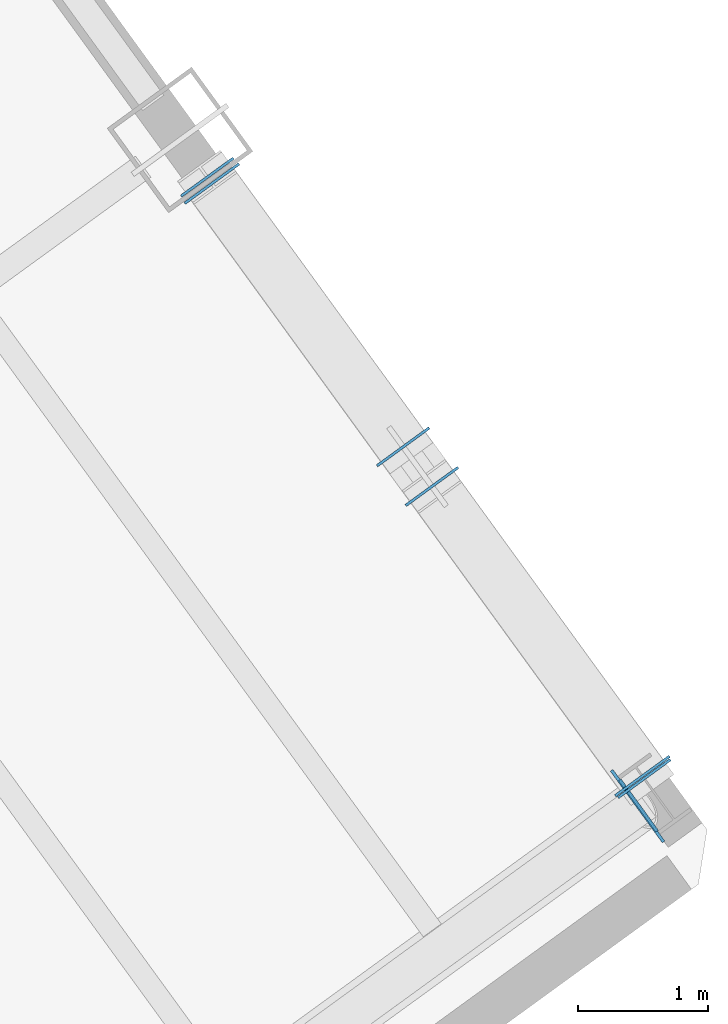
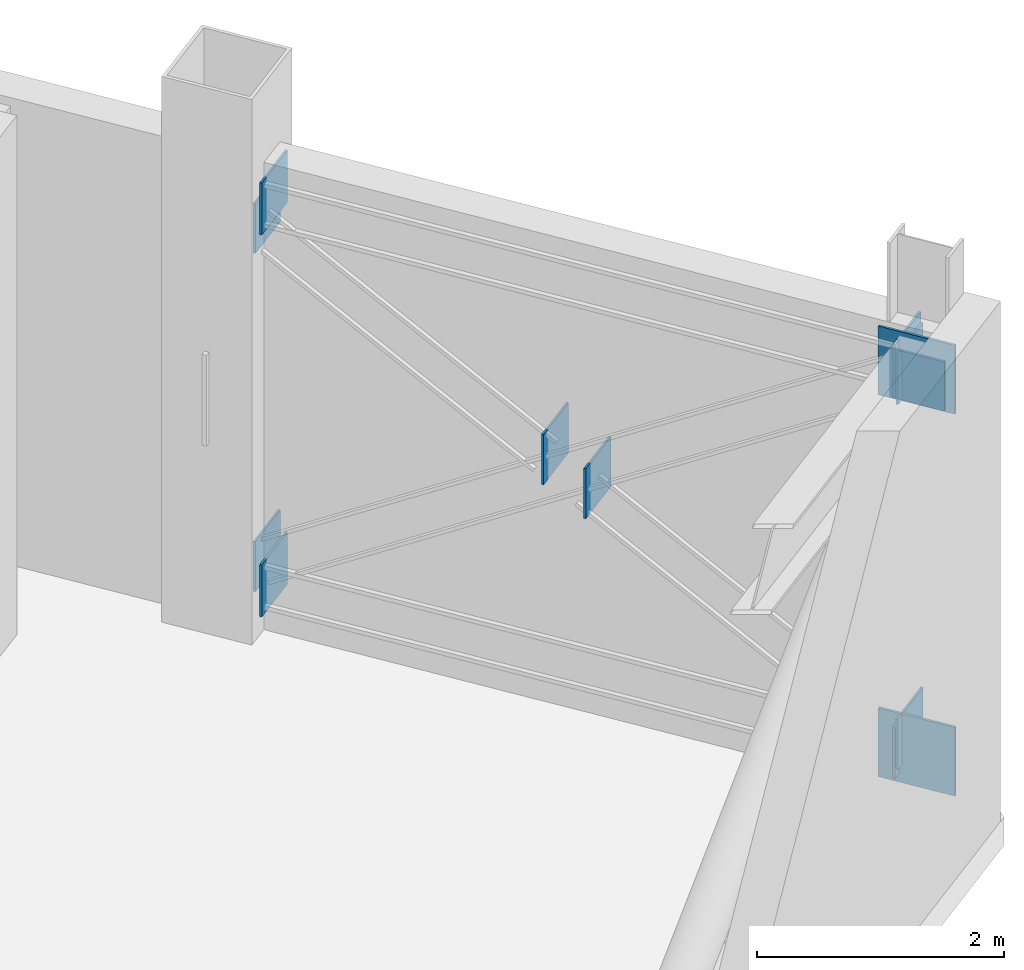
# One storey, part 20 of 30: 13 plates.
"""IFC4 building model written with IfcOpenShell, lengths in metres."""

from ifc_helpers import new_model, si_unit, direction, frame, origin, origin_2d, place, context, subcontext, project, spatial, rectangle, extrude, source, transform, mapped, material, layer, layer_set, type_object, element, save


model = new_model("IFC4")

# Units and contexts
model_context = context("Model", 3, precision=1e-05, world=origin(), true_north=direction((0.0, 1.0)))
body_context = subcontext(model_context, "Body", "Model", "MODEL_VIEW")
ifc_project = project(units=[si_unit("LENGTHUNIT", "METRE"), si_unit("AREAUNIT", "SQUARE_METRE"), si_unit("VOLUMEUNIT", "CUBIC_METRE"), si_unit("PLANEANGLEUNIT", "RADIAN"), si_unit("MASSUNIT", "GRAM", prefix="KILO")], contexts=[model_context])

# Site, building, storey
site_placement = place(None, origin())
site = spatial("IfcSite", under=ifc_project, at=site_placement, CompositionType="ELEMENT")
building_placement = place(site_placement, origin())
building = spatial("IfcBuilding", under=site, at=building_placement, Name="Tlacorven Tower", CompositionType="ELEMENT")
storey_placement = place(building_placement, frame((0.0, 0.0, 169.5)))
storey = spatial("IfcBuildingStorey", under=building, at=storey_placement, Name="L43", CompositionType="ELEMENT", Elevation=169.5)

# Plates
ifc_material = material(Name="Steel S460M", Category="steel")
ifc_layer_1 = layer(ifc_material, 0.02001953125)
ifc_layer_set_1 = layer_set([ifc_layer_1], Name="Steel S460M")
plate_type_1 = type_object("IfcPlateType", Name="PL-CAP-END2", PredefinedType="USERDEFINED", material=ifc_layer_set_1)
shared_shape_1 = source(origin(), body_context, "Body", "SweptSolid", [
    extrude(rectangle(XDim=0.02001953125, YDim=0.514892578125, at=origin_2d()), origin(), (0.0, 0.0, 1.0), 0.514892578125),
])
for number, where, z_axis, x_axis, name in (
    (1, (67.51171875, 23.017822265625, 0.1923828125), (0.0, 0.0, 1.0), (0.587785281577, -0.809016973098, 0.0), "L43 hollow end cap plate OUT-L43-E2-B 1"),
    (2, (70.81494140625, 18.47119140625, 0.1923828125), (0.0, 0.0, 1.0), (0.587785281577, -0.809016973098, 0.0), "L43 hollow end cap plate OUT-L43-E2-B 2"),
    (3, (67.51171875, 23.017822265625, 3.97265625), (0.0, 0.0, 1.0), (0.587785281577, -0.809016973098, 0.0), "L43 hollow end cap plate OUT-L43-E2-T 1"),
    (4, (70.81494140625, 18.47119140625, 3.97265625), (0.0, 0.0, 1.0), (0.587785281577, -0.809016973098, 0.0), "L43 hollow end cap plate OUT-L43-E2-T 2"),
):
    element("IfcPlate", number, at=place(storey_placement, frame(where, z_axis=z_axis, x_axis=x_axis)), inside=storey, type_object=plate_type_1, Name=name, ObjectType="END PLATE", PredefinedType="USERDEFINED", context=body_context, shape_type="MappedRepresentation", body=[
        mapped(shared_shape_1, transform((0.0, 0.0, 0.0), scale=1.0)),
    ])
shared_shape_2 = source(origin(), body_context, "Body", "SweptSolid", [
    extrude(rectangle(XDim=0.02001953125, YDim=0.49609375, at=origin_2d()), origin(), (0.0, 0.0, 1.0), 0.49609375),
])
for number, where, z_axis, x_axis, name in (
    (5, (67.47607421875, 23.06689453125, 0.41796875), (0.0, 0.0, 1.0), (0.587785217811, -0.809017019427, 0.0), "L43 hollow end cap plate OUT-L43-E2-D1 1"),
    (6, (70.8291015625, 18.45166015625, 3.89599609375), (0.0, 0.0, 1.0), (0.587785217811, -0.809017019427, 0.0), "L43 hollow end cap plate OUT-L43-E2-D1 2"),
    (7, (67.47607421875, 23.06689453125, 3.765869140625), (0.0, 0.0, 1.0), (0.587785372313, -0.809016907175, 0.0), "L43 hollow end cap plate OUT-L43-E2-D2A 1"),
    (8, (68.9794921875, 20.99755859375, 2.20654296875), (0.0, 0.0, 1.0), (0.587785372313, -0.809016907175, 0.0), "L43 hollow end cap plate OUT-L43-E2-D2A 2"),
    (9, (69.2001953125, 20.693603515625, 1.9775390625), (0.0, 0.0, 1.0), (0.587784828862, -0.809017302015, 0.0), "L43 hollow end cap plate OUT-L43-E2-D2B 1"),
    (10, (70.8291015625, 18.45166015625, 0.287841796875), (0.0, 0.0, 1.0), (0.587784828862, -0.809017302015, 0.0), "L43 hollow end cap plate OUT-L43-E2-D2B 2"),
):
    element("IfcPlate", number, at=place(storey_placement, frame(where, z_axis=z_axis, x_axis=x_axis)), inside=storey, type_object=plate_type_1, Name=name, ObjectType="END PLATE", PredefinedType="USERDEFINED", context=body_context, shape_type="MappedRepresentation", body=[
        mapped(shared_shape_2, transform((0.0, 0.0, 0.0), scale=1.0)),
    ])
ifc_layer_2 = layer(ifc_material, 0.02392578125)
ifc_layer_set_2 = layer_set([ifc_layer_2], Name="Steel S460M")
plate_type_2 = type_object("IfcPlateType", Name="PL-CAP-END1", PredefinedType="USERDEFINED", material=ifc_layer_set_2)
shared_shape_3 = source(origin(), body_context, "Body", "SweptSolid", [
    extrude(rectangle(XDim=0.02392578125, YDim=0.679931640625, at=origin_2d()), origin(), (0.0, 0.0, 1.0), 0.679931640625),
])
for number, where, z_axis, x_axis, name in (
    (11, (70.778564453125, 18.24072265625, 0.10986328125), (0.0, 0.0, 1.0), (0.80901700447, 0.587785238398, 0.0), "L43 hollow end cap plate BLT-L43-E1-B 2"),
    (12, (70.778564453125, 18.24072265625, 3.89013671875), (0.0, 0.0, 1.0), (0.80901700447, 0.587785238398, 0.0), "L43 hollow end cap plate BLT-L43-E1-T 2"),
):
    element("IfcPlate", number, at=place(storey_placement, frame(where, z_axis=z_axis, x_axis=x_axis)), inside=storey, type_object=plate_type_2, Name=name, ObjectType="END PLATE", PredefinedType="USERDEFINED", context=body_context, shape_type="MappedRepresentation", body=[
        mapped(shared_shape_3, transform((0.0, 0.0, 0.0), scale=1.0)),
    ])
shared_shape_4 = source(origin(), body_context, "Body", "SweptSolid", [
    extrude(rectangle(XDim=0.02392578125, YDim=0.486328125, at=origin_2d()), origin(), (0.0, 0.0, 1.0), 0.486328125),
])
plate_placement = place(storey_placement, frame((70.785400390625, 18.24560546875, 3.88818359375), z_axis=(0.0, 0.0, 1.0), x_axis=(0.809016912294, 0.587785365267, 0.0)))
element("IfcPlate", 13, at=plate_placement, inside=storey, type_object=plate_type_2, Name="L43 hollow end cap plate BLT-L43-E1-D1 2", ObjectType="END PLATE", PredefinedType="USERDEFINED", context=body_context, shape_type="MappedRepresentation", body=[
    mapped(shared_shape_4, transform((0.0, 0.0, 0.0), scale=1.0)),
])

save(model, "model.ifc")
